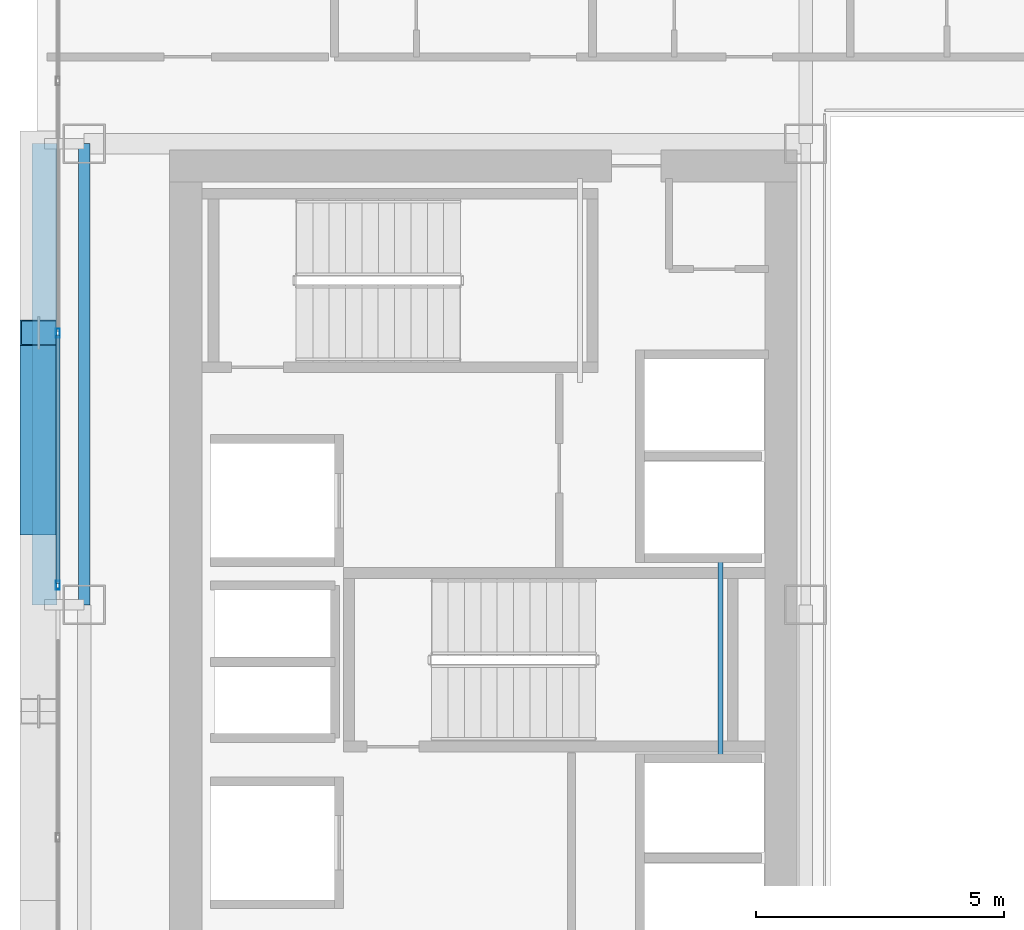
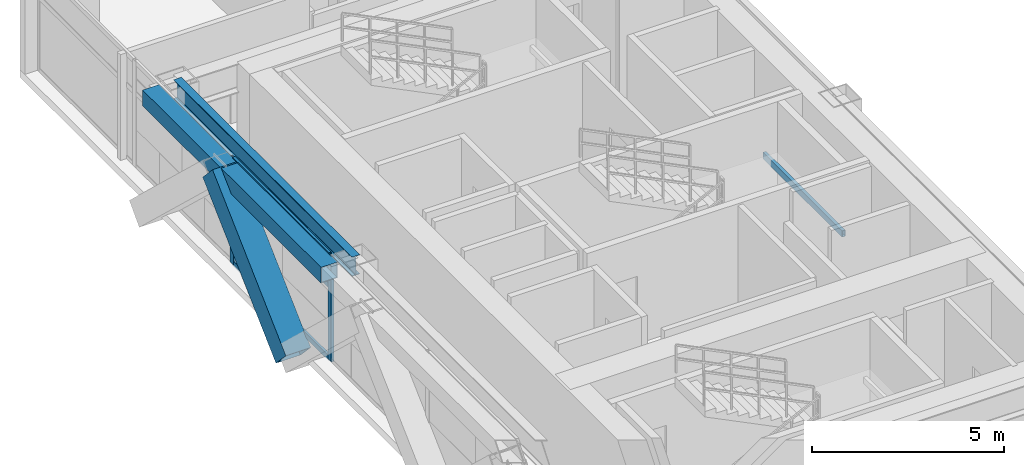
# One storey, part 8 of 36: 6 members, 3 beams, 1 element without a shape of its own.
"""IFC4 building model written with IfcOpenShell, lengths in metres."""

from ifc_helpers import new_model, si_unit, direction, frame, origin, origin_2d, place, context, subcontext, project, spatial, hollow_rectangle, i_section, extrude, source, transform, mapped, material, layer, layer_set, material_profile, profile_set, type_object, element, aggregate, save


model = new_model("IFC4")

# Units and contexts
model_context = context("Model", 3, precision=1e-05, world=origin(), true_north=direction((0.0, 1.0)))
body_context = subcontext(model_context, "Body", "Model", "MODEL_VIEW")
ifc_project = project(units=[si_unit("LENGTHUNIT", "METRE"), si_unit("AREAUNIT", "SQUARE_METRE"), si_unit("VOLUMEUNIT", "CUBIC_METRE"), si_unit("PLANEANGLEUNIT", "RADIAN"), si_unit("MASSUNIT", "GRAM", prefix="KILO")], contexts=[model_context])

# Site, building, storey
site_placement = place(None, origin())
site = spatial("IfcSite", under=ifc_project, at=site_placement, CompositionType="ELEMENT")
building_placement = place(site_placement, origin())
building = spatial("IfcBuilding", under=site, at=building_placement, Name="Ocotamira Hotel", CompositionType="ELEMENT")
storey_placement = place(building_placement, frame((0.0, 0.0, 97.199951171875)))
storey = spatial("IfcBuildingStorey", under=building, at=storey_placement, Name="L23", CompositionType="ELEMENT", Elevation=97.199951171875)

# Beams
ifc_material_1 = material(Name="Steel ASTM A500 Grade C", Category="steel")
ifc_material_profile_1 = material_profile(ifc_material_1, hollow_rectangle(XDim=0.10009765625, YDim=0.199951171875, WallThickness=0.008056640625, at=origin_2d()), Name="HSS200X100X8")
ifc_profile_set_1 = profile_set([ifc_material_profile_1], Name="Steel ASTM A500 Grade C")
beam_type_1 = type_object("IfcBeamType", Name="BM-STLDG-HSS200", PredefinedType="BEAM", material=ifc_profile_set_1)
shared_shape_1 = source(origin(), body_context, "Body", "SweptSolid", [
    extrude(hollow_rectangle(XDim=0.10009765625, YDim=0.199951171875, WallThickness=0.008056640625, at=origin_2d()), origin(), (0.0, 0.0, 1.0), 4.1201171875),
])
beam_1_placement = place(storey_placement, frame((21.780029296875, 24.97998046875, 1.5), z_axis=(0.0, 1.0, 0.0), x_axis=(-1.0, 0.0, 0.0)))
element("IfcBeam", 1, at=beam_1_placement, inside=storey, type_object=beam_type_1, Name="L23 Stair ST-3 Landing Bearer 1", PredefinedType="BEAM", context=body_context, shape_type="MappedRepresentation", body=[
    mapped(shared_shape_1, transform((0.0, 0.0, 0.0), scale=1.0)),
])
ifc_material_2 = material(Name="Steel ASTM A992 Grade 50", Category="steel")
ifc_material_profile_2 = material_profile(ifc_material_2, i_section(OverallWidth=0.22998046875, OverallDepth=0.616943359375, WebThickness=0.01318359375, FlangeThickness=0.022216796875, FilletRadius=0.012939453125, at=origin_2d()), Name="W24X94")
ifc_profile_set_2 = profile_set([ifc_material_profile_2], Name="Steel ASTM A992 Grade 50")
beam_type_2 = type_object("IfcBeamType", Name="BM-PRIM-W24X94", PredefinedType="BEAM", material=ifc_profile_set_2)
shared_shape_2 = source(origin(), body_context, "Body", "SweptSolid", [
    extrude(i_section(OverallWidth=0.22998046875, OverallDepth=0.616943359375, WebThickness=0.01318359375, FlangeThickness=0.022216796875, FilletRadius=0.012939453125, at=origin_2d()), origin(), (0.0, 0.0, 1.0), 9.300048828125),
])
beam_2_placement = place(storey_placement, frame((8.949951171875, 28.14990234375, 3.051513671875), z_axis=(0.0, 1.0, 0.0), x_axis=(-1.0, 0.0, 0.0)))
element("IfcBeam", 2, at=beam_2_placement, inside=storey, type_object=beam_type_2, Name="L23 Beam X8.95 Y28.15-37.45", PredefinedType="BEAM", context=body_context, shape_type="MappedRepresentation", body=[
    mapped(shared_shape_2, transform((0.0, 0.0, 0.0), scale=1.0)),
])
ifc_material_profile_3 = material_profile(ifc_material_1, hollow_rectangle(XDim=0.5, YDim=0.5, WallThickness=0.02001953125, at=origin_2d()), Name="HSS500X500X20")
ifc_profile_set_3 = profile_set([ifc_material_profile_3], Name="Steel ASTM A500 Grade C")
beam_type_3 = type_object("IfcBeamType", Name="BM-SPAN-HSS500", PredefinedType="USERDEFINED", material=ifc_profile_set_3)
shared_shape_3 = source(origin(), body_context, "Body", "SweptSolid", [
    extrude(hollow_rectangle(XDim=0.5, YDim=0.5, WallThickness=0.02001953125, at=origin_2d()), origin(), (0.0, 0.0, 1.0), 9.300048828125),
])
beam_3_placement = place(storey_placement, frame((8.14990234375, 28.14990234375, 3.110107421875), z_axis=(0.0, 1.0, 0.0), x_axis=(-1.0, 0.0, 0.0)))
element("IfcBeam", 3, at=beam_3_placement, inside=storey, type_object=beam_type_3, Name="L23 Edge Spandrel W Y28.15-37.45", ObjectType="SPANDREL", PredefinedType="USERDEFINED", context=body_context, shape_type="MappedRepresentation", body=[
    mapped(shared_shape_3, transform((0.0, 0.0, 0.0), scale=1.0)),
])

# Member
ifc_material_3 = material(Name="Pale-metal coated steel ASTM A913 Grade 65", Category="steel")
ifc_material_profile_4 = material_profile(ifc_material_3, hollow_rectangle(XDim=0.75, YDim=0.75, WallThickness=0.028076171875, at=origin_2d()), Name="BOX750X750X28")
ifc_profile_set_4 = profile_set([ifc_material_profile_4], Name="Pale-metal coated steel ASTM A913 Grade 65")
member_type_1 = type_object("IfcMemberType", Name="MEM-EXO-BOX750", PredefinedType="BRACE", material=ifc_profile_set_4)
shared_shape_4 = source(origin(), body_context, "Body", "SweptSolid", [
    extrude(hollow_rectangle(XDim=0.75, YDim=0.75, WallThickness=0.028076171875, at=origin_2d()), origin(), (0.0, 0.0, 1.0), 5.24658203125),
])
member_1_placement = place(storey_placement, frame((8.030029296875, 29.816650390625, -0.489990234375), z_axis=(0.0, 0.727442733726, 0.686168397078), x_axis=(-1.0, 0.0, 0.0)))
element("IfcMember", 4, at=member_1_placement, inside=storey, type_object=member_type_1, Name="L23 Exoskeleton Diagrid W2.1", PredefinedType="BRACE", context=body_context, shape_type="MappedRepresentation", body=[
    mapped(shared_shape_4, transform((0.0, 0.0, 0.0), scale=1.0)),
])

# Curtain wall, members
ifc_material_4 = material(Name="Anodised pale-metal aluminium and solar glass", Category="aluminium")
ifc_layer = layer(ifc_material_4, 0.179931640625)
ifc_layer_set = layer_set([ifc_layer], Name="Anodised pale-metal aluminium and solar glass")
curtain_wall_type = type_object("IfcCurtainWallType", Name="CW-SYS3-Z2", PredefinedType="NOTDEFINED", material=ifc_layer_set)
curtain_wall_placement = place(storey_placement, origin())
curtain_wall = element("IfcCurtainWall", 5, at=curtain_wall_placement, inside=storey, type_object=curtain_wall_type, Name="L23 Curtain Wall CW-3 CW-L23-W", PredefinedType="NOTDEFINED")
ifc_material_5 = material(Name="Anodised pale-metal aluminium 6063-T6", Category="aluminium")
ifc_material_profile_5 = material_profile(ifc_material_5, hollow_rectangle(XDim=0.074951171875, YDim=0.14990234375, WallThickness=0.006103515625, at=origin_2d()), Name="HSS150X75X6")
ifc_profile_set_5 = profile_set([ifc_material_profile_5], Name="Anodised pale-metal aluminium 6063-T6")
member_type_2 = type_object("IfcMemberType", Name="CWT-150X75", PredefinedType="USERDEFINED", material=ifc_profile_set_5)
shared_shape_5 = source(origin(), body_context, "Body", "SweptSolid", [
    extrude(hollow_rectangle(XDim=0.074951171875, YDim=0.14990234375, WallThickness=0.006103515625, at=origin_2d()), origin(), (0.0, 0.0, 1.0), 5.005859375),
])
member_2_placement = place(storey_placement, frame((8.419921875, 28.582763671875, 0.03759765625), z_axis=(0.0, 1.0, 0.0), x_axis=(-1.0, 0.0, 0.0)))
member_2 = element("IfcMember", 6, at=member_2_placement, type_object=member_type_2, Name="CW-3 transom 5.1", ObjectType="TRANSOM", PredefinedType="USERDEFINED", context=body_context, shape_type="MappedRepresentation", body=[
    mapped(shared_shape_5, transform((0.0, 0.0, 0.0), scale=1.0)),
])
member_3_placement = place(storey_placement, frame((8.419921875, 28.582763671875, 2.35009765625), z_axis=(0.0, 1.0, 0.0), x_axis=(-1.0, 0.0, 0.0)))
member_3 = element("IfcMember", 7, at=member_3_placement, type_object=member_type_2, Name="CW-3 transom 5.2", ObjectType="TRANSOM", PredefinedType="USERDEFINED", context=body_context, shape_type="MappedRepresentation", body=[
    mapped(shared_shape_5, transform((0.0, 0.0, 0.0), scale=1.0)),
])
member_4_placement = place(storey_placement, frame((8.419921875, 28.582763671875, 3.322509765625), z_axis=(0.0, 1.0, 0.0), x_axis=(-1.0, 0.0, 0.0)))
member_4 = element("IfcMember", 8, at=member_4_placement, type_object=member_type_2, Name="CW-3 transom 5.3", ObjectType="TRANSOM", PredefinedType="USERDEFINED", context=body_context, shape_type="MappedRepresentation", body=[
    mapped(shared_shape_5, transform((0.0, 0.0, 0.0), scale=1.0)),
])
ifc_material_profile_6 = material_profile(ifc_material_5, hollow_rectangle(XDim=0.080078125, YDim=0.179931640625, WallThickness=0.006103515625, at=origin_2d()), Name="HSS180X80X6")
ifc_profile_set_6 = profile_set([ifc_material_profile_6], Name="Anodised pale-metal aluminium 6063-T6")
member_type_3 = type_object("IfcMemberType", Name="CWM-180X75", PredefinedType="MULLION", material=ifc_profile_set_6)
shared_shape_6 = source(origin(), body_context, "Body", "SweptSolid", [
    extrude(hollow_rectangle(XDim=0.080078125, YDim=0.179931640625, WallThickness=0.006103515625, at=origin_2d()), origin(), (0.0, 0.0, 1.0), 3.360107421875),
])
member_5_placement = place(storey_placement, frame((8.419921875, 28.54296875, 0.0), z_axis=(0.0, 0.0, 1.0), x_axis=(-1.0, 0.0, 0.0)))
member_5 = element("IfcMember", 9, at=member_5_placement, type_object=member_type_3, Name="CW-3 mullion 5", PredefinedType="MULLION", context=body_context, shape_type="MappedRepresentation", body=[
    mapped(shared_shape_6, transform((0.0, 0.0, 0.0), scale=1.0)),
])
member_6_placement = place(storey_placement, frame((8.419921875, 33.628662109375, 0.0), z_axis=(0.0, 0.0, 1.0), x_axis=(-1.0, 0.0, 0.0)))
member_6 = element("IfcMember", 10, at=member_6_placement, type_object=member_type_3, Name="CW-3 mullion 6", PredefinedType="MULLION", context=body_context, shape_type="MappedRepresentation", body=[
    mapped(shared_shape_6, transform((0.0, 0.0, 0.0), scale=1.0)),
])
aggregate(curtain_wall, [member_5, member_6, member_2, member_3, member_4])

save(model, "model.ifc")
